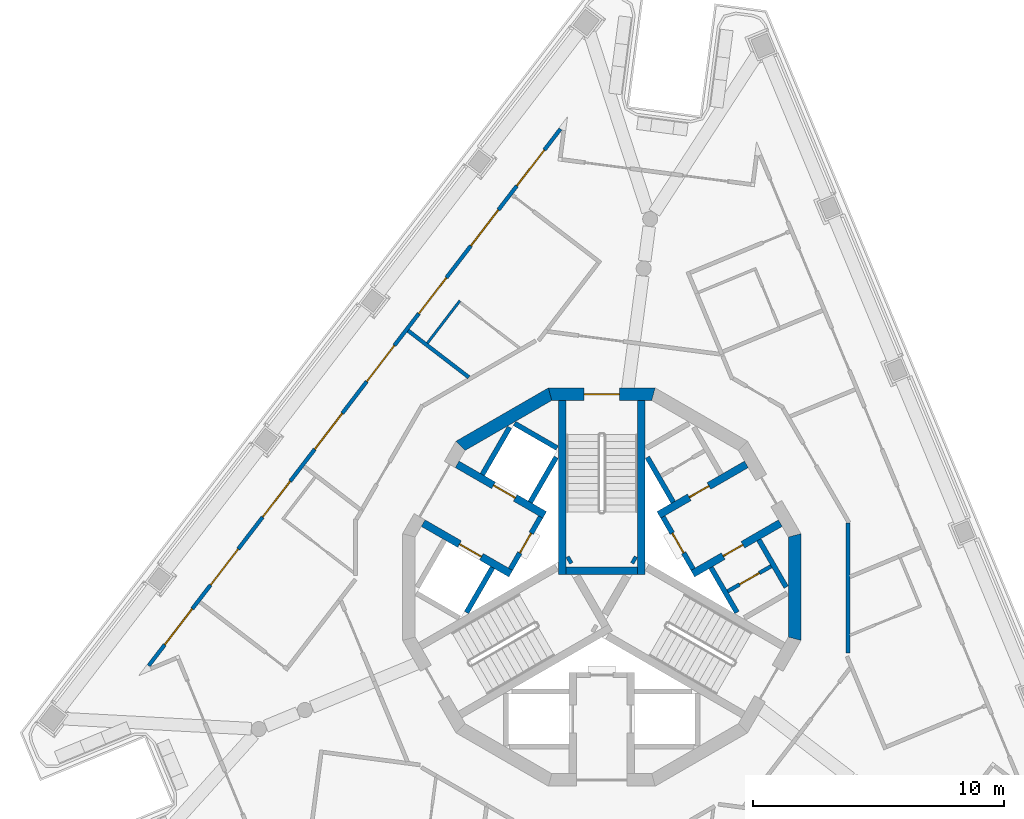
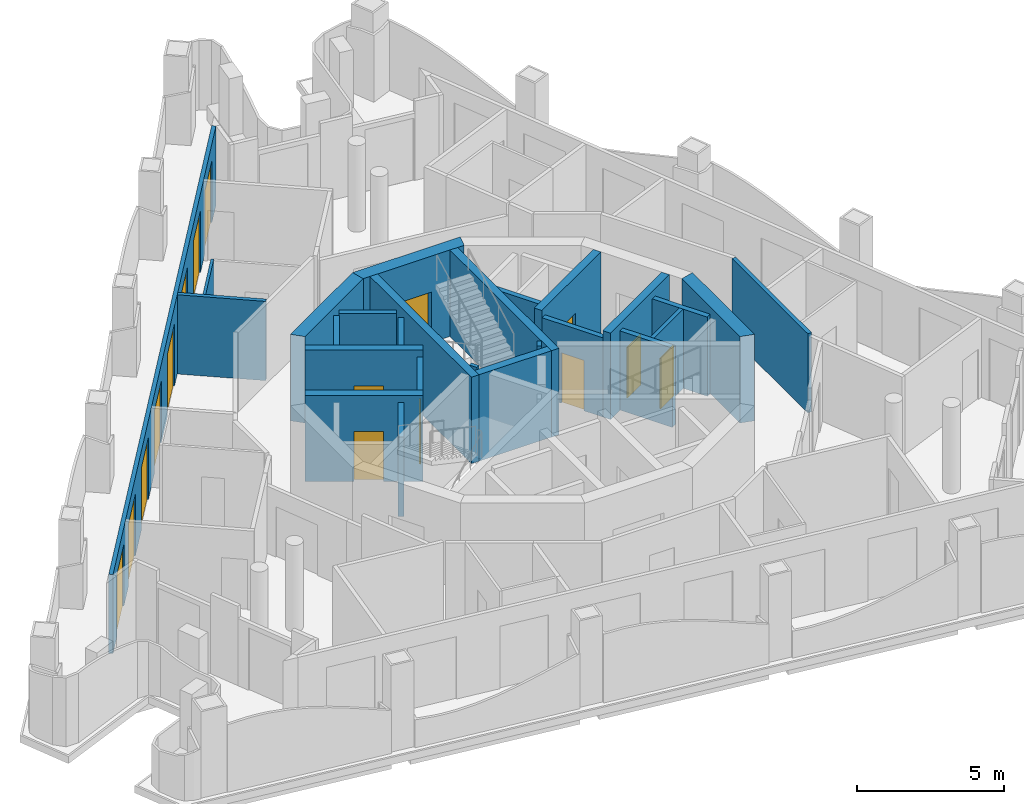
# One storey, part 4 of 12: 26 walls, 16 doors, 16 openings.
"""IFC4 building model written with IfcOpenShell, lengths in metres."""

from ifc_helpers import new_model, si_unit, direction, frame, frame_2d, origin, place, context, subcontext, project, spatial, polyline, rectangle, outline, extrude, material, layer, layer_set, type_object, element, fill, save


model = new_model("IFC4")

# Units and contexts
model_context = context("Model", 3, precision=1e-05, world=origin(), true_north=direction((0.0, 1.0)))
body_context = subcontext(model_context, "Body", "Model", "MODEL_VIEW")
ifc_project = project(units=[si_unit("LENGTHUNIT", "METRE"), si_unit("AREAUNIT", "SQUARE_METRE"), si_unit("VOLUMEUNIT", "CUBIC_METRE"), si_unit("PLANEANGLEUNIT", "RADIAN"), si_unit("MASSUNIT", "GRAM", prefix="KILO")], contexts=[model_context])

# Site, building, storey
site_placement = place(None, origin())
site = spatial("IfcSite", under=ifc_project, at=site_placement, CompositionType="ELEMENT")
building_placement = place(site_placement, origin())
building = spatial("IfcBuilding", under=site, at=building_placement, Name="Trine Commons Tower", CompositionType="ELEMENT")
storey_placement = place(building_placement, frame((0.0, 0.0, 293.39990234375)))
storey = spatial("IfcBuildingStorey", under=building, at=storey_placement, Name="L77", CompositionType="ELEMENT", Elevation=293.39990234375)

# Wall, opening, door
ifc_material_1 = material(Name="Plasterboard partition on steel studs", Category="steel")
ifc_layer_1 = layer(ifc_material_1, 0.14990234375)
ifc_layer_set_1 = layer_set([ifc_layer_1], Name="Plasterboard partition on steel studs")
wall_type_1 = type_object("IfcWallType", Name="Core room partition 150 mm, EI 60", PredefinedType="PARTITIONING", material=ifc_layer_set_1)
wall_1_placement = place(storey_placement, frame((85.006103515625, 62.330078125, 0.0), z_axis=(0.0, 0.0, 1.0), x_axis=(0.866010750942, 0.50002537861, 0.0)))
wall_1 = element("IfcWall", 1, at=wall_1_placement, inside=storey, type_object=wall_type_1, Name="Core room partition L77", PredefinedType="PARTITIONING", context=body_context, shape_type="SweptSolid", body=[
    extrude(rectangle(XDim=2.0, YDim=0.14990234375, at=frame_2d((1.0, 0.0))), origin(), (0.0, 0.0, 1.0), 3.300048828125),
])
opening_1_placement = place(wall_1_placement, frame((0.549560546875, 0.0, 0.0)))
opening_1 = element("IfcOpeningElement", 2, at=opening_1_placement, cuts=wall_1, Name="Opening K19.13", PredefinedType="OPENING", context=body_context, shape_type="SweptSolid", body=[
    extrude(rectangle(XDim=0.89990234375, YDim=2.10009765625, at=frame_2d((0.449951171875, 1.050048828125))), frame((0.0, 0.0849609375, 0.0), z_axis=(0.0, -1.0, 0.0), x_axis=(1.0, 0.0, 0.0)), (0.0, 0.0, 1.0), 0.169921875),
])
ifc_material_2 = material(Name="Steel door leaf, fire-rated", Category="steel")
door_type_1 = type_object("IfcDoorType", Name="Core room door, single leaf 900 x 2100, FD30S", OperationType="SINGLE_SWING_LEFT", PredefinedType="DOOR", material=ifc_material_2)
door_1_placement = place(opening_1_placement, frame((0.89990234375, 0.0, 0.0), z_axis=(0.0, 0.0, 1.0), x_axis=(-1.0, 0.0, 0.0)))
door_1 = element("IfcDoor", 3, at=door_1_placement, inside=storey, type_object=door_type_1, Name="Door to Print room L77", OperationType="SINGLE_SWING_LEFT", OverallHeight=2.10009765625, OverallWidth=0.89990234375, PredefinedType="DOOR", context=body_context, shape_type="SweptSolid", body=[
    extrude(rectangle(XDim=0.89990234375, YDim=2.10009765625, at=frame_2d((0.449951171875, 1.050048828125))), frame((0.0, 0.02490234375, 0.0), z_axis=(0.0, -1.0, 0.0), x_axis=(1.0, 0.0, 0.0)), (0.0, 0.0, 1.0), 0.050048828125),
])
fill(opening_1, door_1)

# Wall, openings, doors
ifc_material_3 = material(Name="Aluminium-framed insulated wall panel", Category="aluminium")
ifc_layer_2 = layer(ifc_material_3, 0.14990234375)
ifc_layer_set_2 = layer_set([ifc_layer_2], Name="Aluminium-framed insulated wall panel")
wall_type_2 = type_object("IfcWallType", Name="Glazed frame wall 150, EI 60", PredefinedType="SOLIDWALL", material=ifc_layer_set_2)
wall_2_placement = place(storey_placement, frame((61.8876953125, 59.251708984375, 0.0), z_axis=(0.0, 0.0, 1.0), x_axis=(0.608757974151, 0.793355991284, 0.0)))
wall_2 = element("IfcWall", 4, at=wall_2_placement, inside=storey, type_object=wall_type_2, Name="Glazed frame wall F1", PredefinedType="SOLIDWALL", context=body_context, shape_type="SweptSolid", body=[
    extrude(outline(polyline([(0.1494140625, 0.074951171875), (0.1494140625, -0.074951171875), (27.056884765625, -0.074951171875), (27.056884765625, 0.074951171875), (0.1494140625, 0.074951171875)])), origin(), (0.0, 0.0, 1.0), 3.300048828125),
])
opening_2_placement = place(wall_2_placement, frame((1.200439453125, 0.0, 0.0)))
opening_2 = element("IfcOpeningElement", 5, at=opening_2_placement, cuts=wall_2, Name="Opening BD-8F1-01", PredefinedType="OPENING", context=body_context, shape_type="SweptSolid", body=[
    extrude(rectangle(XDim=1.800048828125, YDim=2.60009765625, at=frame_2d((0.89990234375, 1.300048828125))), frame((0.0, 0.0849609375, 0.0), z_axis=(0.0, -1.0, 0.0), x_axis=(1.0, 0.0, 0.0)), (0.0, 0.0, 1.0), 0.169921875),
])
opening_3_placement = place(wall_2_placement, frame((4.201171875, 0.0, 0.0)))
opening_3 = element("IfcOpeningElement", 6, at=opening_3_placement, cuts=wall_2, Name="Opening BD-8F1-02", PredefinedType="OPENING", context=body_context, shape_type="SweptSolid", body=[
    extrude(rectangle(XDim=1.800048828125, YDim=2.60009765625, at=frame_2d((0.89990234375, 1.300048828125))), frame((0.0, 0.0849609375, 0.0), z_axis=(0.0, -1.0, 0.0), x_axis=(1.0, 0.0, 0.0)), (0.0, 0.0, 1.0), 0.169921875),
])
opening_4_placement = place(wall_2_placement, frame((7.60205078125, 0.0, 0.0)))
opening_4 = element("IfcOpeningElement", 7, at=opening_4_placement, cuts=wall_2, Name="Opening BD-8F1-03", PredefinedType="OPENING", context=body_context, shape_type="SweptSolid", body=[
    extrude(rectangle(XDim=1.800048828125, YDim=2.60009765625, at=frame_2d((0.89990234375, 1.300048828125))), frame((0.0, 0.0849609375, 0.0), z_axis=(0.0, -1.0, 0.0), x_axis=(1.0, 0.0, 0.0)), (0.0, 0.0, 1.0), 0.169921875),
])
opening_5_placement = place(wall_2_placement, frame((11.002685546875, 0.0, 0.0)))
opening_5 = element("IfcOpeningElement", 8, at=opening_5_placement, cuts=wall_2, Name="Opening BD-8F1-04", PredefinedType="OPENING", context=body_context, shape_type="SweptSolid", body=[
    extrude(rectangle(XDim=1.800048828125, YDim=2.60009765625, at=frame_2d((0.89990234375, 1.300048828125))), frame((0.0, 0.0849609375, 0.0), z_axis=(0.0, -1.0, 0.0), x_axis=(1.0, 0.0, 0.0)), (0.0, 0.0, 1.0), 0.169921875),
])
opening_6_placement = place(wall_2_placement, frame((14.403564453125, 0.0, 0.0)))
opening_6 = element("IfcOpeningElement", 9, at=opening_6_placement, cuts=wall_2, Name="Opening BD-8F1-05", PredefinedType="OPENING", context=body_context, shape_type="SweptSolid", body=[
    extrude(rectangle(XDim=1.800048828125, YDim=2.60009765625, at=frame_2d((0.89990234375, 1.300048828125))), frame((0.0, 0.0849609375, 0.0), z_axis=(0.0, -1.0, 0.0), x_axis=(1.0, 0.0, 0.0)), (0.0, 0.0, 1.0), 0.169921875),
])
opening_7_placement = place(wall_2_placement, frame((17.804443359375, 0.0, 0.0)))
opening_7 = element("IfcOpeningElement", 10, at=opening_7_placement, cuts=wall_2, Name="Opening BD-8F1-06", PredefinedType="OPENING", context=body_context, shape_type="SweptSolid", body=[
    extrude(rectangle(XDim=1.800048828125, YDim=2.60009765625, at=frame_2d((0.89990234375, 1.300048828125))), frame((0.0, 0.0849609375, 0.0), z_axis=(0.0, -1.0, 0.0), x_axis=(1.0, 0.0, 0.0)), (0.0, 0.0, 1.0), 0.169921875),
])
opening_8_placement = place(wall_2_placement, frame((21.205078125, 0.0, 0.0)))
opening_8 = element("IfcOpeningElement", 11, at=opening_8_placement, cuts=wall_2, Name="Opening BD-8F1-07", PredefinedType="OPENING", context=body_context, shape_type="SweptSolid", body=[
    extrude(rectangle(XDim=1.800048828125, YDim=2.60009765625, at=frame_2d((0.89990234375, 1.300048828125))), frame((0.0, 0.0849609375, 0.0), z_axis=(0.0, -1.0, 0.0), x_axis=(1.0, 0.0, 0.0)), (0.0, 0.0, 1.0), 0.169921875),
])
opening_9_placement = place(wall_2_placement, frame((24.2060546875, 0.0, 0.0)))
opening_9 = element("IfcOpeningElement", 12, at=opening_9_placement, cuts=wall_2, Name="Opening BD-8F1-08", PredefinedType="OPENING", context=body_context, shape_type="SweptSolid", body=[
    extrude(rectangle(XDim=1.800048828125, YDim=2.60009765625, at=frame_2d((0.89990234375, 1.300048828125))), frame((0.0, 0.0849609375, 0.0), z_axis=(0.0, -1.0, 0.0), x_axis=(1.0, 0.0, 0.0)), (0.0, 0.0, 1.0), 0.169921875),
])
ifc_material_4 = material(Name="Anodised aluminium frame with double glazing", Category="aluminium")
door_type_2 = type_object("IfcDoorType", Name="Sliding loggia door 1800x2600", OperationType="SLIDING_TO_LEFT", PredefinedType="DOOR", material=ifc_material_4)
door_2_placement = place(opening_2_placement, origin())
door_2 = element("IfcDoor", 13, at=door_2_placement, inside=storey, type_object=door_type_2, Name="Loggia door F1 1", OperationType="SLIDING_TO_LEFT", OverallHeight=2.60009765625, OverallWidth=1.800048828125, PredefinedType="DOOR", context=body_context, shape_type="SweptSolid", body=[
    extrude(rectangle(XDim=1.800048828125, YDim=2.60009765625, at=frame_2d((0.89990234375, 1.300048828125))), frame((0.0, 0.02490234375, 0.0), z_axis=(0.0, -1.0, 0.0), x_axis=(1.0, 0.0, 0.0)), (0.0, 0.0, 1.0), 0.050048828125),
])
fill(opening_2, door_2)
door_3_placement = place(opening_3_placement, origin())
door_3 = element("IfcDoor", 14, at=door_3_placement, inside=storey, type_object=door_type_2, Name="Loggia door F1 2", OperationType="SLIDING_TO_LEFT", OverallHeight=2.60009765625, OverallWidth=1.800048828125, PredefinedType="DOOR", context=body_context, shape_type="SweptSolid", body=[
    extrude(rectangle(XDim=1.800048828125, YDim=2.60009765625, at=frame_2d((0.89990234375, 1.300048828125))), frame((0.0, 0.02490234375, 0.0), z_axis=(0.0, -1.0, 0.0), x_axis=(1.0, 0.0, 0.0)), (0.0, 0.0, 1.0), 0.050048828125),
])
fill(opening_3, door_3)
door_4_placement = place(opening_4_placement, origin())
door_4 = element("IfcDoor", 15, at=door_4_placement, inside=storey, type_object=door_type_2, Name="Loggia door F1 3", OperationType="SLIDING_TO_LEFT", OverallHeight=2.60009765625, OverallWidth=1.800048828125, PredefinedType="DOOR", context=body_context, shape_type="SweptSolid", body=[
    extrude(rectangle(XDim=1.800048828125, YDim=2.60009765625, at=frame_2d((0.89990234375, 1.300048828125))), frame((0.0, 0.02490234375, 0.0), z_axis=(0.0, -1.0, 0.0), x_axis=(1.0, 0.0, 0.0)), (0.0, 0.0, 1.0), 0.050048828125),
])
fill(opening_4, door_4)
door_5_placement = place(opening_5_placement, origin())
door_5 = element("IfcDoor", 16, at=door_5_placement, inside=storey, type_object=door_type_2, Name="Loggia door F1 4", OperationType="SLIDING_TO_LEFT", OverallHeight=2.60009765625, OverallWidth=1.800048828125, PredefinedType="DOOR", context=body_context, shape_type="SweptSolid", body=[
    extrude(rectangle(XDim=1.800048828125, YDim=2.60009765625, at=frame_2d((0.89990234375, 1.300048828125))), frame((0.0, 0.02490234375, 0.0), z_axis=(0.0, -1.0, 0.0), x_axis=(1.0, 0.0, 0.0)), (0.0, 0.0, 1.0), 0.050048828125),
])
fill(opening_5, door_5)
door_6_placement = place(opening_6_placement, origin())
door_6 = element("IfcDoor", 17, at=door_6_placement, inside=storey, type_object=door_type_2, Name="Loggia door F1 5", OperationType="SLIDING_TO_LEFT", OverallHeight=2.60009765625, OverallWidth=1.800048828125, PredefinedType="DOOR", context=body_context, shape_type="SweptSolid", body=[
    extrude(rectangle(XDim=1.800048828125, YDim=2.60009765625, at=frame_2d((0.89990234375, 1.300048828125))), frame((0.0, 0.02490234375, 0.0), z_axis=(0.0, -1.0, 0.0), x_axis=(1.0, 0.0, 0.0)), (0.0, 0.0, 1.0), 0.050048828125),
])
fill(opening_6, door_6)
door_7_placement = place(opening_7_placement, origin())
door_7 = element("IfcDoor", 18, at=door_7_placement, inside=storey, type_object=door_type_2, Name="Loggia door F1 6", OperationType="SLIDING_TO_LEFT", OverallHeight=2.60009765625, OverallWidth=1.800048828125, PredefinedType="DOOR", context=body_context, shape_type="SweptSolid", body=[
    extrude(rectangle(XDim=1.800048828125, YDim=2.60009765625, at=frame_2d((0.89990234375, 1.300048828125))), frame((0.0, 0.02490234375, 0.0), z_axis=(0.0, -1.0, 0.0), x_axis=(1.0, 0.0, 0.0)), (0.0, 0.0, 1.0), 0.050048828125),
])
fill(opening_7, door_7)
door_8_placement = place(opening_8_placement, origin())
door_8 = element("IfcDoor", 19, at=door_8_placement, inside=storey, type_object=door_type_2, Name="Loggia door F1 7", OperationType="SLIDING_TO_LEFT", OverallHeight=2.60009765625, OverallWidth=1.800048828125, PredefinedType="DOOR", context=body_context, shape_type="SweptSolid", body=[
    extrude(rectangle(XDim=1.800048828125, YDim=2.60009765625, at=frame_2d((0.89990234375, 1.300048828125))), frame((0.0, 0.02490234375, 0.0), z_axis=(0.0, -1.0, 0.0), x_axis=(1.0, 0.0, 0.0)), (0.0, 0.0, 1.0), 0.050048828125),
])
fill(opening_8, door_8)
door_9_placement = place(opening_9_placement, origin())
door_9 = element("IfcDoor", 20, at=door_9_placement, inside=storey, type_object=door_type_2, Name="Loggia door F1 8", OperationType="SLIDING_TO_LEFT", OverallHeight=2.60009765625, OverallWidth=1.800048828125, PredefinedType="DOOR", context=body_context, shape_type="SweptSolid", body=[
    extrude(rectangle(XDim=1.800048828125, YDim=2.60009765625, at=frame_2d((0.89990234375, 1.300048828125))), frame((0.0, 0.02490234375, 0.0), z_axis=(0.0, -1.0, 0.0), x_axis=(1.0, 0.0, 0.0)), (0.0, 0.0, 1.0), 0.050048828125),
])
fill(opening_9, door_9)

# Wall, opening, door
ifc_material_5 = material(Name="Fire-rated gypsum shaft wall system")
ifc_layer_3 = layer(ifc_material_5, 0.199951171875)
ifc_layer_set_3 = layer_set([ifc_layer_3], Name="Fire-rated gypsum shaft wall system")
wall_type_3 = type_object("IfcWallType", Name="Lobby end wall 200 mm, EI 120", PredefinedType="PARTITIONING", material=ifc_layer_set_3)
wall_3_placement = place(storey_placement, frame((77.569091796875, 65.2890625, 0.0), z_axis=(0.0, 0.0, 1.0), x_axis=(-0.50012165622, -0.865955154139, 0.0)))
wall_3 = element("IfcWall", 21, at=wall_3_placement, inside=storey, type_object=wall_type_3, Name="Lobby end wall L77", PredefinedType="PARTITIONING", context=body_context, shape_type="SweptSolid", body=[
    extrude(rectangle(XDim=2.39990234375, YDim=0.199951171875, at=frame_2d((1.199951171875, 0.0))), origin(), (0.0, 0.0, 1.0), 3.300048828125),
])
opening_10_placement = place(wall_3_placement, frame((0.749755859375, 0.0, 0.0)))
opening_10 = element("IfcOpeningElement", 22, at=opening_10_placement, cuts=wall_3, Name="Opening K19.07", PredefinedType="OPENING", context=body_context, shape_type="SweptSolid", body=[
    extrude(rectangle(XDim=0.89990234375, YDim=2.10009765625, at=frame_2d((0.449951171875, 1.050048828125))), frame((0.0, 0.10986328125, 0.0), z_axis=(0.0, -1.0, 0.0), x_axis=(1.0, 0.0, 0.0)), (0.0, 0.0, 1.0), 0.219970703125),
])
door_type_3 = type_object("IfcDoorType", Name="Riser access door, single leaf 900 x 2100, FD60", OperationType="SINGLE_SWING_LEFT", PredefinedType="DOOR", material=ifc_material_2)
door_10_placement = place(opening_10_placement, frame((0.89990234375, 0.0, 0.0), z_axis=(0.0, 0.0, 1.0), x_axis=(-1.0, 0.0, 0.0)))
door_10 = element("IfcDoor", 23, at=door_10_placement, inside=storey, type_object=door_type_3, Name="Riser door, Mechanical riser L77", OperationType="SINGLE_SWING_RIGHT", OverallHeight=2.10009765625, OverallWidth=0.89990234375, PredefinedType="DOOR", context=body_context, shape_type="SweptSolid", body=[
    extrude(rectangle(XDim=0.89990234375, YDim=2.10009765625, at=frame_2d((0.449951171875, 1.050048828125))), frame((0.0, 0.02490234375, 0.0), z_axis=(0.0, -1.0, 0.0), x_axis=(1.0, 0.0, 0.0)), (0.0, 0.0, 1.0), 0.050048828125),
])
fill(opening_10, door_10)

wall_4_placement = place(storey_placement, frame((83.631103515625, 63.2109375, 0.0), z_axis=(0.0, 0.0, 1.0), x_axis=(-0.50012165622, 0.865955154139, 0.0)))
wall_4 = element("IfcWall", 24, at=wall_4_placement, inside=storey, type_object=wall_type_3, Name="Lobby end wall L77", PredefinedType="PARTITIONING", context=body_context, shape_type="SweptSolid", body=[
    extrude(rectangle(XDim=2.39990234375, YDim=0.199951171875, at=frame_2d((1.199951171875, 0.0))), origin(), (0.0, 0.0, 1.0), 3.300048828125),
])
opening_11_placement = place(wall_4_placement, frame((0.749755859375, 0.0, 0.0)))
opening_11 = element("IfcOpeningElement", 25, at=opening_11_placement, cuts=wall_4, Name="Opening K19.05", PredefinedType="OPENING", context=body_context, shape_type="SweptSolid", body=[
    extrude(rectangle(XDim=0.89990234375, YDim=2.10009765625, at=frame_2d((0.449951171875, 1.050048828125))), frame((0.0, 0.10986328125, 0.0), z_axis=(0.0, -1.0, 0.0), x_axis=(1.0, 0.0, 0.0)), (0.0, 0.0, 1.0), 0.219970703125),
])
door_11_placement = place(opening_11_placement, frame((0.89990234375, 0.0, 0.0), z_axis=(0.0, 0.0, 1.0), x_axis=(-1.0, 0.0, 0.0)))
door_11 = element("IfcDoor", 26, at=door_11_placement, inside=storey, type_object=door_type_3, Name="Riser door, Electrical riser L77", OperationType="SINGLE_SWING_LEFT", OverallHeight=2.10009765625, OverallWidth=0.89990234375, PredefinedType="DOOR", context=body_context, shape_type="SweptSolid", body=[
    extrude(rectangle(XDim=0.89990234375, YDim=2.10009765625, at=frame_2d((0.449951171875, 1.050048828125))), frame((0.0, 0.02490234375, 0.0), z_axis=(0.0, -1.0, 0.0), x_axis=(1.0, 0.0, 0.0)), (0.0, 0.0, 1.0), 0.050048828125),
])
fill(opening_11, door_11)

ifc_material_6 = material(Name="Concrete C50/60", Category="concrete")
ifc_layer_4 = layer(ifc_material_6, 0.300048828125)
ifc_layer_set_4 = layer_set([ifc_layer_4], Name="Concrete C50/60")
wall_type_4 = type_object("IfcWallType", Name="RC shear wall 300 mm, C50/60", PredefinedType="SHEAR", material=ifc_layer_set_4)
wall_5_placement = place(storey_placement, frame((76.381103515625, 63.031005859375, 0.0), z_axis=(0.0, 0.0, 1.0), x_axis=(-0.866071331441, 0.499920442526, 0.0)))
wall_5 = element("IfcWall", 27, at=wall_5_placement, inside=storey, type_object=wall_type_4, Name="Core cross wall SWD-01 L77", PredefinedType="SHEAR", context=body_context, shape_type="SweptSolid", body=[
    extrude(rectangle(XDim=4.020751953125, YDim=0.300048828125, at=frame_2d((2.01025390625, 0.0))), origin(), (0.0, 0.0, 1.0), 3.60009765625),
])
opening_12_placement = place(wall_5_placement, frame((1.350341796875, 0.0, 0.0)))
opening_12 = element("IfcOpeningElement", 28, at=opening_12_placement, cuts=wall_5, Name="Opening LD7", PredefinedType="OPENING", context=body_context, shape_type="SweptSolid", body=[
    extrude(rectangle(XDim=1.0, YDim=2.10009765625, at=frame_2d((0.5, 1.050048828125))), frame((0.0, 0.159912109375, 0.0), z_axis=(0.0, -1.0, 0.0), x_axis=(1.0, 0.0, 0.0)), (0.0, 0.0, 1.0), 0.320068359375),
])
ifc_material_7 = material(Name="Stainless steel sliding door leaves", Category="steel")
door_type_4 = type_object("IfcDoorType", Name="Lift landing door, centre-opening sliding 1000 x 2100, FD90", OperationType="DOUBLE_DOOR_SLIDING", PredefinedType="DOOR", material=ifc_material_7)
door_12_placement = place(opening_12_placement, origin())
door_12 = element("IfcDoor", 29, at=door_12_placement, inside=storey, type_object=door_type_4, Name="Lift landing door HR3 L77", OperationType="DOUBLE_DOOR_SLIDING", OverallHeight=2.10009765625, OverallWidth=1.0, PredefinedType="DOOR", context=body_context, shape_type="SweptSolid", body=[
    extrude(rectangle(XDim=1.0, YDim=2.10009765625, at=frame_2d((0.5, 1.050048828125))), frame((0.0, 0.02490234375, 0.0), z_axis=(0.0, -1.0, 0.0), x_axis=(1.0, 0.0, 0.0)), (0.0, 0.0, 1.0), 0.050048828125),
])
fill(opening_12, door_12)

wall_6_placement = place(storey_placement, frame((77.73095703125, 65.368896484375, 0.0), z_axis=(0.0, 0.0, 1.0), x_axis=(-0.866056154689, 0.499946734088, 0.0)))
wall_6 = element("IfcWall", 30, at=wall_6_placement, inside=storey, type_object=wall_type_4, Name="Core cross wall SWD-02 L77", PredefinedType="SHEAR", context=body_context, shape_type="SweptSolid", body=[
    extrude(rectangle(XDim=4.0205078125, YDim=0.300048828125, at=frame_2d((2.01025390625, 0.0))), origin(), (0.0, 0.0, 1.0), 3.60009765625),
])
opening_13_placement = place(wall_6_placement, frame((1.350341796875, 0.0, 0.0)))
opening_13 = element("IfcOpeningElement", 31, at=opening_13_placement, cuts=wall_6, Name="Opening LD8", PredefinedType="OPENING", context=body_context, shape_type="SweptSolid", body=[
    extrude(rectangle(XDim=1.0, YDim=2.10009765625, at=frame_2d((0.5, 1.050048828125))), frame((0.0, 0.159912109375, 0.0), z_axis=(0.0, -1.0, 0.0), x_axis=(1.0, 0.0, 0.0)), (0.0, 0.0, 1.0), 0.320068359375),
])
door_13_placement = place(opening_13_placement, origin())
door_13 = element("IfcDoor", 32, at=door_13_placement, inside=storey, type_object=door_type_4, Name="Lift landing door HR4 L77", OperationType="DOUBLE_DOOR_SLIDING", OverallHeight=2.10009765625, OverallWidth=1.0, PredefinedType="DOOR", context=body_context, shape_type="SweptSolid", body=[
    extrude(rectangle(XDim=1.0, YDim=2.10009765625, at=frame_2d((0.5, 1.050048828125))), frame((0.0, 0.02490234375, 0.0), z_axis=(0.0, -1.0, 0.0), x_axis=(1.0, 0.0, 0.0)), (0.0, 0.0, 1.0), 0.050048828125),
])
fill(opening_13, door_13)

wall_7_placement = place(storey_placement, frame((82.26904296875, 65.368896484375, 0.0), z_axis=(0.0, 0.0, 1.0), x_axis=(0.866056154689, 0.499946734088, 0.0)))
wall_7 = element("IfcWall", 33, at=wall_7_placement, inside=storey, type_object=wall_type_4, Name="Core cross wall SWD-05 L77", PredefinedType="SHEAR", context=body_context, shape_type="SweptSolid", body=[
    extrude(rectangle(XDim=4.0205078125, YDim=0.300048828125, at=frame_2d((2.01025390625, 0.0))), origin(), (0.0, 0.0, 1.0), 3.60009765625),
])
opening_14_placement = place(wall_7_placement, frame((1.400390625, 0.0, 0.0)))
opening_14 = element("IfcOpeningElement", 34, at=opening_14_placement, cuts=wall_7, Name="Opening K19.10", PredefinedType="OPENING", context=body_context, shape_type="SweptSolid", body=[
    extrude(rectangle(XDim=0.89990234375, YDim=2.10009765625, at=frame_2d((0.449951171875, 1.050048828125))), frame((0.0, 0.159912109375, 0.0), z_axis=(0.0, -1.0, 0.0), x_axis=(1.0, 0.0, 0.0)), (0.0, 0.0, 1.0), 0.320068359375),
])
door_14_placement = place(opening_14_placement, origin())
door_14 = element("IfcDoor", 35, at=door_14_placement, inside=storey, type_object=door_type_1, Name="Door to Comms room L77", OperationType="SINGLE_SWING_LEFT", OverallHeight=2.10009765625, OverallWidth=0.89990234375, PredefinedType="DOOR", context=body_context, shape_type="SweptSolid", body=[
    extrude(rectangle(XDim=0.89990234375, YDim=2.10009765625, at=frame_2d((0.449951171875, 1.050048828125))), frame((0.0, 0.02490234375, 0.0), z_axis=(0.0, -1.0, 0.0), x_axis=(1.0, 0.0, 0.0)), (0.0, 0.0, 1.0), 0.050048828125),
])
fill(opening_14, door_14)

wall_8_placement = place(storey_placement, frame((83.618896484375, 63.031005859375, 0.0), z_axis=(0.0, 0.0, 1.0), x_axis=(0.866071331441, 0.499920442526, 0.0)))
wall_8 = element("IfcWall", 36, at=wall_8_placement, inside=storey, type_object=wall_type_4, Name="Core cross wall SWD-06 L77", PredefinedType="SHEAR", context=body_context, shape_type="SweptSolid", body=[
    extrude(rectangle(XDim=4.020751953125, YDim=0.300048828125, at=frame_2d((2.01025390625, 0.0))), origin(), (0.0, 0.0, 1.0), 3.60009765625),
])
opening_15_placement = place(wall_8_placement, frame((1.400390625, 0.0, 0.0)))
opening_15 = element("IfcOpeningElement", 37, at=opening_15_placement, cuts=wall_8, Name="Opening K19.12", PredefinedType="OPENING", context=body_context, shape_type="SweptSolid", body=[
    extrude(rectangle(XDim=0.89990234375, YDim=2.10009765625, at=frame_2d((0.449951171875, 1.050048828125))), frame((0.0, 0.159912109375, 0.0), z_axis=(0.0, -1.0, 0.0), x_axis=(1.0, 0.0, 0.0)), (0.0, 0.0, 1.0), 0.320068359375),
])
door_15_placement = place(opening_15_placement, frame((0.89990234375, 0.0, 0.0), z_axis=(0.0, 0.0, 1.0), x_axis=(-1.0, 0.0, 0.0)))
door_15 = element("IfcDoor", 38, at=door_15_placement, inside=storey, type_object=door_type_1, Name="Door to Cleaner's store L77", OperationType="SINGLE_SWING_LEFT", OverallHeight=2.10009765625, OverallWidth=0.89990234375, PredefinedType="DOOR", context=body_context, shape_type="SweptSolid", body=[
    extrude(rectangle(XDim=0.89990234375, YDim=2.10009765625, at=frame_2d((0.449951171875, 1.050048828125))), frame((0.0, 0.02490234375, 0.0), z_axis=(0.0, -1.0, 0.0), x_axis=(1.0, 0.0, 0.0)), (0.0, 0.0, 1.0), 0.050048828125),
])
fill(opening_15, door_15)

# Walls
wall_9_placement = place(storey_placement, frame((78.425048828125, 63.0009765625, 0.0), z_axis=(0.0, 0.0, 1.0), x_axis=(0.0, 1.0, 0.0)))
element("IfcWall", 39, at=wall_9_placement, inside=storey, type_object=wall_type_4, Name="Core cross wall SWD-08 L77", PredefinedType="SHEAR", context=body_context, shape_type="SweptSolid", body=[
    extrude(rectangle(XDim=6.919921875, YDim=0.300048828125, at=frame_2d((3.4599609375, 0.0))), origin(), (0.0, 0.0, 1.0), 3.60009765625),
])
for number, where, z_axis, x_axis, name in (
    (40, (78.779052734375, 63.614013671875, 0.0), (0.0, 0.0, 1.0), (-0.867737973955, -0.497021939713, 0.0), "Core cross wall SWD-09 L77"),
    (41, (81.220947265625, 63.614013671875, 0.0), (0.0, 0.0, 1.0), (0.867737973955, -0.497021939713, 0.0), "Core cross wall SWD-15 L77"),
):
    element("IfcWall", number, at=place(storey_placement, frame(where, z_axis=z_axis, x_axis=x_axis)), inside=storey, type_object=wall_type_4, Name=name, PredefinedType="SHEAR", context=body_context, shape_type="SweptSolid", body=[
        extrude(rectangle(XDim=0.14892578125, YDim=0.300048828125, at=frame_2d((0.074462890625, 0.0))), origin(), (0.0, 0.0, 1.0), 3.60009765625),
    ])
wall_10_placement = place(storey_placement, frame((81.425048828125, 63.15087890625, 0.0), z_axis=(0.0, 0.0, 1.0), x_axis=(-1.0, 0.0, 0.0)))
element("IfcWall", 42, at=wall_10_placement, inside=storey, type_object=wall_type_4, Name="Core cross wall SWD-16 L77", PredefinedType="SHEAR", context=body_context, shape_type="SweptSolid", body=[
    extrude(rectangle(XDim=2.85009765625, YDim=0.300048828125, at=frame_2d((1.425048828125, 0.0))), origin(), (0.0, 0.0, 1.0), 3.60009765625),
])
wall_11_placement = place(storey_placement, frame((81.574951171875, 63.0009765625, 0.0), z_axis=(0.0, 0.0, 1.0), x_axis=(0.0, 1.0, 0.0)))
element("IfcWall", 43, at=wall_11_placement, inside=storey, type_object=wall_type_4, Name="Core cross wall SWD-17 L77", PredefinedType="SHEAR", context=body_context, shape_type="SweptSolid", body=[
    extrude(rectangle(XDim=6.919921875, YDim=0.300048828125, at=frame_2d((3.4599609375, 0.0))), origin(), (0.0, 0.0, 1.0), 3.60009765625),
])
ifc_layer_5 = layer(ifc_material_6, 0.5)
ifc_layer_set_5 = layer_set([ifc_layer_5], Name="Concrete C50/60")
wall_type_5 = type_object("IfcWallType", Name="RC shear wall 500 mm, C50/60", PredefinedType="SHEAR", material=ifc_layer_set_5)
wall_12_placement = place(storey_placement, frame((87.670654296875, 60.377685546875, 0.0), z_axis=(0.0, 0.0, 1.0), x_axis=(0.0, 1.0, 0.0)))
element("IfcWall", 44, at=wall_12_placement, inside=storey, type_object=wall_type_5, Name="Core wall CWH-01 L77", PredefinedType="SHEAR", context=body_context, shape_type="SweptSolid", body=[
    extrude(outline(polyline([(0.0, -0.25), (4.24462890625, -0.25), (4.110595703125, 0.25), (0.134033203125, 0.25), (0.0, -0.25)])), origin(), (0.0, 0.0, 1.0), 3.60009765625),
])

# Wall, opening, door
wall_13_placement = place(storey_placement, frame((82.122314453125, 70.170654296875, 0.0), z_axis=(0.0, 0.0, 1.0), x_axis=(-1.0, 0.0, 0.0)))
wall_13 = element("IfcWall", 45, at=wall_13_placement, inside=storey, type_object=wall_type_5, Name="Core wall CWH-04 L77", PredefinedType="SHEAR", context=body_context, shape_type="SweptSolid", body=[
    extrude(outline(polyline([(0.0, -0.25), (4.24462890625, -0.25), (4.110595703125, 0.25), (0.134033203125, 0.25), (0.0, -0.25)])), origin(), (0.0, 0.0, 1.0), 3.60009765625),
])
opening_16_placement = place(wall_13_placement, frame((1.42236328125, 0.0, 0.0)))
opening_16 = element("IfcOpeningElement", 46, at=opening_16_placement, cuts=wall_13, Name="Opening K19.01", PredefinedType="OPENING", context=body_context, shape_type="SweptSolid", body=[
    extrude(rectangle(XDim=1.39990234375, YDim=2.10009765625, at=frame_2d((0.699951171875, 1.050048828125))), frame((0.0, 0.260009765625, 0.0), z_axis=(0.0, -1.0, 0.0), x_axis=(1.0, 0.0, 0.0)), (0.0, 0.0, 1.0), 0.52001953125),
])
ifc_material_8 = material(Name="Steel door leaves, fire-rated", Category="steel")
door_type_5 = type_object("IfcDoorType", Name="Stair door, double leaf 1400 x 2100, FD90", OperationType="DOUBLE_DOOR_SINGLE_SWING", PredefinedType="DOOR", material=ifc_material_8)
door_16_placement = place(opening_16_placement, origin())
door_16 = element("IfcDoor", 47, at=door_16_placement, inside=storey, type_object=door_type_5, Name="Stair door to Exit stair ST1D L77", OperationType="DOUBLE_DOOR_SINGLE_SWING", OverallHeight=2.10009765625, OverallWidth=1.39990234375, PredefinedType="DOOR", context=body_context, shape_type="SweptSolid", body=[
    extrude(rectangle(XDim=1.39990234375, YDim=2.10009765625, at=frame_2d((0.699951171875, 1.050048828125))), frame((0.0, 0.02490234375, 0.0), z_axis=(0.0, -1.0, 0.0), x_axis=(1.0, 0.0, 0.0)), (0.0, 0.0, 1.0), 0.050048828125),
])
fill(opening_16, door_16)

# Walls
wall_14_placement = place(storey_placement, frame((78.002685546875, 70.2041015625, 0.0), z_axis=(0.0, 0.0, 1.0), x_axis=(-0.866029463428, -0.499992968425, 0.0)))
element("IfcWall", 48, at=wall_14_placement, inside=storey, type_object=wall_type_5, Name="Core wall CWH-05 L77", PredefinedType="SHEAR", context=body_context, shape_type="SweptSolid", body=[
    extrude(outline(polyline([(0.0, -0.25), (4.24462890625, -0.25), (4.110595703125, 0.25), (0.134033203125, 0.25), (0.0, -0.25)])), origin(), (0.0, 0.0, 1.0), 3.60009765625),
])
ifc_layer_6 = layer(ifc_material_5, 0.199951171875)
ifc_layer_set_6 = layer_set([ifc_layer_6], Name="Fire-rated gypsum shaft wall system")
wall_type_6 = type_object("IfcWallType", Name="Shaft wall 200 mm, EI 120", PredefinedType="PARTITIONING", material=ifc_layer_set_6)
wall_15_placement = place(storey_placement, frame((75.2509765625, 66.97412109375, 0.0), z_axis=(0.0, 0.0, 1.0), x_axis=(0.500060114735, 0.865990693744, 0.0)))
element("IfcWall", 49, at=wall_15_placement, inside=storey, type_object=wall_type_6, Name="Shaft wall L77", PredefinedType="PARTITIONING", context=body_context, shape_type="SweptSolid", body=[
    extrude(rectangle(XDim=2.169677734375, YDim=0.199951171875, at=frame_2d((1.0849609375, 0.0))), origin(), (0.0, 0.0, 1.0), 3.300048828125),
])
wall_16_placement = place(storey_placement, frame((75.656005859375, 63.27587890625, 0.0), z_axis=(0.0, 0.0, 1.0), x_axis=(-0.500271688072, -0.86586848777, 0.0)))
element("IfcWall", 50, at=wall_16_placement, inside=storey, type_object=wall_type_6, Name="Shaft wall L77", PredefinedType="PARTITIONING", context=body_context, shape_type="SweptSolid", body=[
    extrude(rectangle(XDim=2.064697265625, YDim=0.199951171875, at=frame_2d((1.0322265625, 0.0))), origin(), (0.0, 0.0, 1.0), 3.300048828125),
])
wall_17_placement = place(storey_placement, frame((77.156005859375, 65.8740234375, 0.0), z_axis=(0.0, 0.0, 1.0), x_axis=(0.499865770674, 0.866102887253, 0.0)))
element("IfcWall", 51, at=wall_17_placement, inside=storey, type_object=wall_type_6, Name="Shaft wall L77", PredefinedType="PARTITIONING", context=body_context, shape_type="SweptSolid", body=[
    extrude(rectangle(XDim=2.064453125, YDim=0.199951171875, at=frame_2d((1.0322265625, 0.0))), origin(), (0.0, 0.0, 1.0), 3.300048828125),
])
wall_18_placement = place(storey_placement, frame((78.22509765625, 68.028076171875, 0.0), z_axis=(0.0, 0.0, 1.0), x_axis=(-0.866071410914, 0.499920304846, 0.0)))
element("IfcWall", 52, at=wall_18_placement, inside=storey, type_object=wall_type_6, Name="Shaft wall L77", PredefinedType="PARTITIONING", context=body_context, shape_type="SweptSolid", body=[
    extrude(rectangle(XDim=1.958251953125, YDim=0.199951171875, at=frame_2d((0.97900390625, 0.0))), origin(), (0.0, 0.0, 1.0), 3.300048828125),
])
wall_19_placement = place(storey_placement, frame((82.843994140625, 65.8740234375, 0.0), z_axis=(0.0, 0.0, 1.0), x_axis=(-0.499865770674, 0.866102887253, 0.0)))
element("IfcWall", 53, at=wall_19_placement, inside=storey, type_object=wall_type_6, Name="Shaft wall L77", PredefinedType="PARTITIONING", context=body_context, shape_type="SweptSolid", body=[
    extrude(rectangle(XDim=2.064453125, YDim=0.199951171875, at=frame_2d((1.0322265625, 0.0))), origin(), (0.0, 0.0, 1.0), 3.300048828125),
])
wall_20_placement = place(storey_placement, frame((84.343994140625, 63.27587890625, 0.0), z_axis=(0.0, 0.0, 1.0), x_axis=(0.500271688072, -0.86586848777, 0.0)))
element("IfcWall", 54, at=wall_20_placement, inside=storey, type_object=wall_type_6, Name="Shaft wall L77", PredefinedType="PARTITIONING", context=body_context, shape_type="SweptSolid", body=[
    extrude(rectangle(XDim=2.064697265625, YDim=0.199951171875, at=frame_2d((1.0322265625, 0.0))), origin(), (0.0, 0.0, 1.0), 3.300048828125),
])
wall_21_placement = place(storey_placement, frame((86.2490234375, 64.3759765625, 0.0), z_axis=(0.0, 0.0, 1.0), x_axis=(0.499865263774, -0.866103179807, 0.0)))
element("IfcWall", 55, at=wall_21_placement, inside=storey, type_object=wall_type_6, Name="Shaft wall L77", PredefinedType="PARTITIONING", context=body_context, shape_type="SweptSolid", body=[
    extrude(rectangle(XDim=2.17041015625, YDim=0.199951171875, at=frame_2d((1.085205078125, 0.0))), origin(), (0.0, 0.0, 1.0), 3.300048828125),
])
ifc_material_9 = material(Name="Gypsum plasterboard on steel stud", Category="steel")
ifc_layer_7 = layer(ifc_material_9, 0.14990234375)
ifc_layer_set_7 = layer_set([ifc_layer_7], Name="Gypsum plasterboard on steel stud")
wall_type_7 = type_object("IfcWallType", Name="Unit and corridor wall 150 mm, EI 60", PredefinedType="PARTITIONING", material=ifc_layer_set_7)
wall_22_placement = place(storey_placement, frame((72.298583984375, 72.696533203125, 0.0), z_axis=(0.0, 0.0, 1.0), x_axis=(0.793299429492, -0.60883168049, 0.0)))
element("IfcWall", 56, at=wall_22_placement, inside=storey, type_object=wall_type_7, Name="Partition 015", PredefinedType="PARTITIONING", context=body_context, shape_type="SweptSolid", body=[
    extrude(rectangle(XDim=3.048095703125, YDim=0.14990234375, at=frame_2d((1.52392578125, 0.0))), origin(), (0.0, 0.0, 1.0), 3.300048828125),
])
wall_23_placement = place(storey_placement, frame((89.7958984375, 59.875, 0.0), z_axis=(0.0, 0.0, 1.0), x_axis=(0.0, 1.0, 0.0)))
element("IfcWall", 57, at=wall_23_placement, inside=storey, type_object=wall_type_7, Name="Partition 053", PredefinedType="PARTITIONING", context=body_context, shape_type="SweptSolid", body=[
    extrude(rectangle(XDim=5.175048828125, YDim=0.14990234375, at=frame_2d((2.58740234375, 0.0))), origin(), (0.0, 0.0, 1.0), 3.300048828125),
])
ifc_layer_8 = layer(ifc_material_9, 0.10009765625)
ifc_layer_set_8 = layer_set([ifc_layer_8], Name="Gypsum plasterboard on steel stud")
wall_type_8 = type_object("IfcWallType", Name="Unit partition 100 mm, no rating", PredefinedType="PARTITIONING", material=ifc_layer_set_8)
wall_24_placement = place(storey_placement, frame((73.066650390625, 72.201416015625, 0.0), z_axis=(0.0, 0.0, 1.0), x_axis=(0.608405008963, 0.793626703853, 0.0)))
element("IfcWall", 58, at=wall_24_placement, inside=storey, type_object=wall_type_8, Name="Partition 020", PredefinedType="PARTITIONING", context=body_context, shape_type="SweptSolid", body=[
    extrude(rectangle(XDim=2.124755859375, YDim=0.10009765625, at=frame_2d((1.0625, 0.0))), origin(), (0.0, 0.0, 1.0), 3.300048828125),
])

save(model, "model.ifc")
